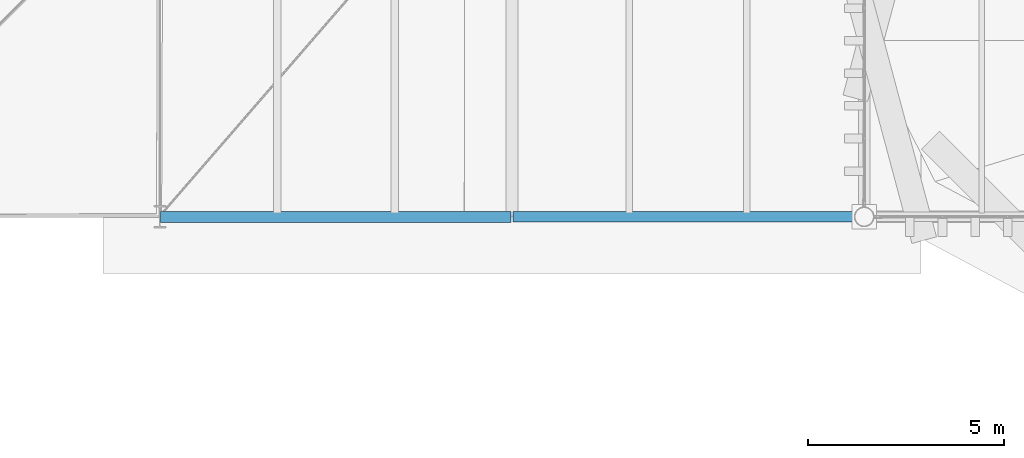
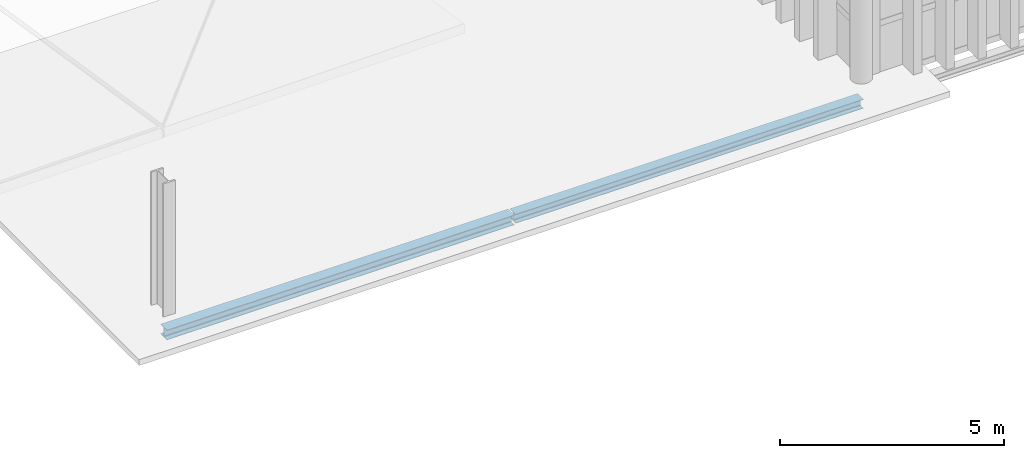
# One storey, part 13 of 102: 2 beams.
"""IFC4 building model written with IfcOpenShell, lengths in metres."""

from ifc_helpers import new_model, si_unit, direction, frame, origin, origin_2d, place, context, subcontext, project, spatial, i_section, extrude, material, material_profile, profile_set, type_object, element, save


model = new_model("IFC4")

# Units and contexts
model_context = context("Model", 3, precision=1e-05, world=origin(), true_north=direction((0.0, 1.0)))
body_context = subcontext(model_context, "Body", "Model", "MODEL_VIEW")
ifc_project = project(units=[si_unit("LENGTHUNIT", "METRE"), si_unit("AREAUNIT", "SQUARE_METRE"), si_unit("VOLUMEUNIT", "CUBIC_METRE"), si_unit("PLANEANGLEUNIT", "RADIAN"), si_unit("MASSUNIT", "GRAM", prefix="KILO")], contexts=[model_context])

# Site, building, storey
site_placement = place(None, origin())
site = spatial("IfcSite", under=ifc_project, at=site_placement, CompositionType="ELEMENT")
building_placement = place(site_placement, origin())
building = spatial("IfcBuilding", under=site, at=building_placement, Name="Barlavento Convention Centre", CompositionType="ELEMENT")
storey_placement = place(building_placement, frame((0.0, 0.0, 22.800048828125)))
storey = spatial("IfcBuildingStorey", under=building, at=storey_placement, Name="L04", CompositionType="ELEMENT", Elevation=22.800048828125)

# Beams
ifc_material = material(Name="Steel S355", Category="steel")
ifc_material_profile_1 = material_profile(ifc_material, i_section(OverallWidth=0.260009765625, OverallDepth=0.25, WebThickness=0.007568359375, FlangeThickness=0.012451171875, FilletRadius=0.02392578125, at=origin_2d()), Name="HEA 260")
ifc_profile_set_1 = profile_set([ifc_material_profile_1], Name="Steel S355")
beam_type_1 = type_object("IfcBeamType", Name="STR-BM-SPN-HEA260", PredefinedType="SPANDREL", material=ifc_profile_set_1)
beam_1_placement = place(storey_placement, frame((72.02001953125, 45.0, -0.469970703125), z_axis=(1.0, 0.0, 0.0), x_axis=(0.0, 1.0, 0.0)))
element("IfcBeam", 1, at=beam_1_placement, inside=storey, type_object=beam_type_1, Name="L04 primary girder SP04", PredefinedType="SPANDREL", context=body_context, shape_type="SweptSolid", body=[
    extrude(i_section(OverallWidth=0.260009765625, OverallDepth=0.25, WebThickness=0.007568359375, FlangeThickness=0.012451171875, FilletRadius=0.02392578125, at=origin_2d()), origin(), (0.0, 0.0, 1.0), 8.9599609375),
])
ifc_material_profile_2 = material_profile(ifc_material, i_section(OverallWidth=0.280029296875, OverallDepth=0.27001953125, WebThickness=0.008056640625, FlangeThickness=0.012939453125, FilletRadius=0.02392578125, at=origin_2d()), Name="HEA 280")
ifc_profile_set_2 = profile_set([ifc_material_profile_2], Name="Steel S355")
beam_type_2 = type_object("IfcBeamType", Name="STR-BM-SPN-HEA280", PredefinedType="SPANDREL", material=ifc_profile_set_2)
beam_2_placement = place(storey_placement, frame((63.02001953125, 45.0, -0.47998046875), z_axis=(1.0, 0.0, 0.0), x_axis=(0.0, 1.0, 0.0)))
element("IfcBeam", 2, at=beam_2_placement, inside=storey, type_object=beam_type_2, Name="L04 primary girder SP03", PredefinedType="SPANDREL", context=body_context, shape_type="SweptSolid", body=[
    extrude(i_section(OverallWidth=0.280029296875, OverallDepth=0.27001953125, WebThickness=0.008056640625, FlangeThickness=0.012939453125, FilletRadius=0.02392578125, at=origin_2d()), origin(), (0.0, 0.0, 1.0), 8.9599609375),
])

save(model, "model.ifc")
